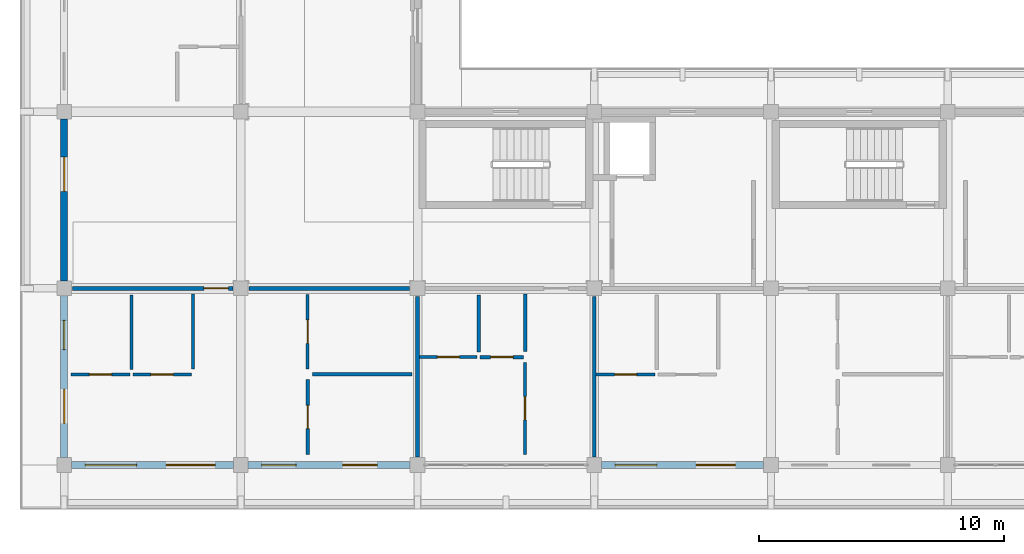
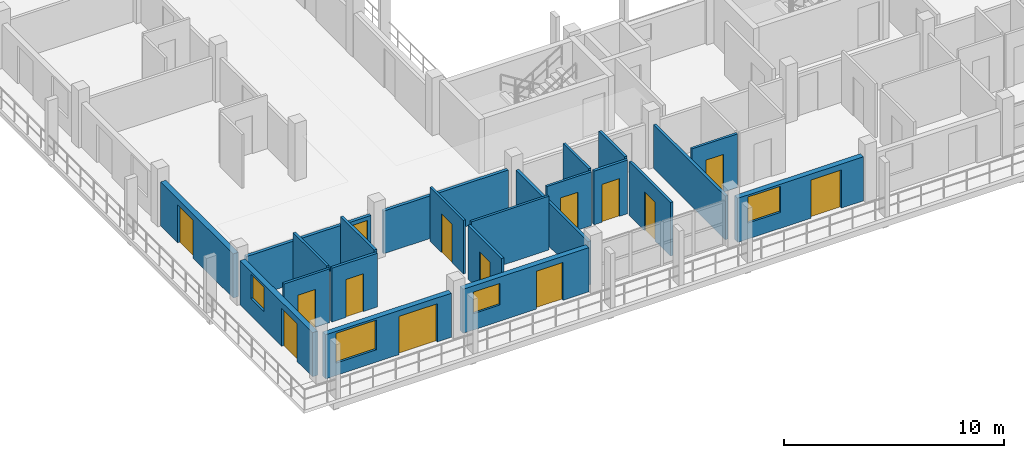
# One storey, part 38 of 76: 22 walls, 14 doors, 4 windows, 18 openings.
"""IFC4 building model written with IfcOpenShell, lengths in metres."""

from ifc_helpers import new_model, si_unit, direction, frame, frame_2d, origin, place, context, subcontext, project, spatial, rectangle, extrude, material, layer, layer_set, type_object, element, fill, save


model = new_model("IFC4")

# Units and contexts
model_context = context("Model", 3, precision=1e-05, world=origin(), true_north=direction((0.0, 1.0)))
body_context = subcontext(model_context, "Body", "Model", "MODEL_VIEW")
ifc_project = project(units=[si_unit("LENGTHUNIT", "METRE"), si_unit("AREAUNIT", "SQUARE_METRE"), si_unit("VOLUMEUNIT", "CUBIC_METRE"), si_unit("PLANEANGLEUNIT", "RADIAN"), si_unit("MASSUNIT", "GRAM", prefix="KILO")], contexts=[model_context])

# Site, building, storey
site_placement = place(None, origin())
site = spatial("IfcSite", under=ifc_project, at=site_placement, CompositionType="ELEMENT")
building_placement = place(site_placement, origin())
building = spatial("IfcBuilding", under=site, at=building_placement, Name="Suanplinth Sawtooth Commons", CompositionType="ELEMENT")
storey_placement = place(building_placement, frame((0.0, 0.0, 12.199951171875)))
storey = spatial("IfcBuildingStorey", under=building, at=storey_placement, Name="L03", CompositionType="ELEMENT", Elevation=12.199951171875)

# Wall, openings, door, window
ifc_material_1 = material(Name="Precast concrete C40/50", Category="concrete")
ifc_layer_1 = layer(ifc_material_1, 0.280029296875, Name="Insulated precast architectural facade wall 280mm")
ifc_layer_set_1 = layer_set([ifc_layer_1], Name="Precast concrete C40/50")
wall_type_1 = type_object("IfcWallType", Name="W-EX01", PredefinedType="ELEMENTEDWALL", material=ifc_layer_set_1)
wall_1_placement = place(storey_placement, frame((0.300048828125, 0.0, 0.0), z_axis=(0.0, 0.0, 1.0), x_axis=(1.0, 0.0, 0.0)))
wall_1 = element("IfcWall", 1, at=wall_1_placement, inside=storey, type_object=wall_type_1, Name="Facade Wall W-L03-D-S-0-0", PredefinedType="ELEMENTEDWALL", context=body_context, shape_type="SweptSolid", body=[
    extrude(rectangle(XDim=6.599853515625, YDim=0.280029296875, at=frame_2d((3.2998046875, 0.0))), origin(), (0.0, 0.0, 1.0), 2.445068359375),
])
opening_1_placement = place(wall_1_placement, frame((3.85009765625, 0.0, 0.0)))
opening_1 = element("IfcOpeningElement", 2, at=opening_1_placement, cuts=wall_1, Name="Opening ED0289", PredefinedType="OPENING", context=body_context, shape_type="SweptSolid", body=[
    extrude(rectangle(XDim=2.0, YDim=2.1201171875, at=frame_2d((1.0, 1.06005859375))), frame((0.0, 0.15478515625, 0.0), z_axis=(0.0, -1.0, 0.0), x_axis=(1.0, 0.0, 0.0)), (0.0, 0.0, 1.0), 0.309814453125),
])
opening_2_placement = place(wall_1_placement, frame((0.550048828125, 0.0, 0.68505859375)))
opening_2 = element("IfcOpeningElement", 3, at=opening_2_placement, cuts=wall_1, Name="Opening W0394", PredefinedType="OPENING", context=body_context, shape_type="SweptSolid", body=[
    extrude(rectangle(XDim=2.10009765625, YDim=1.64990234375, at=frame_2d((1.050048828125, 0.824951171875))), frame((0.0, 0.15478515625, 0.0), z_axis=(0.0, -1.0, 0.0), x_axis=(1.0, 0.0, 0.0)), (0.0, 0.0, 1.0), 0.309814453125),
])
ifc_material_2 = material(Name="Anodized aluminium and low-E glass", Category="aluminium")
door_type_1 = type_object("IfcDoorType", Name="SD-06", OperationType="DOUBLE_DOOR_SLIDING", PredefinedType="DOOR", material=ifc_material_2)
door_1_placement = place(opening_1_placement, frame((2.0, 0.0, 0.0), z_axis=(0.0, 0.0, 1.0), x_axis=(-1.0, 0.0, 0.0)))
door_1 = element("IfcDoor", 4, at=door_1_placement, inside=storey, type_object=door_type_1, Name="Balcony Sliding Door L03-D-0", OperationType="DOUBLE_DOOR_SLIDING", OverallHeight=2.1201171875, OverallWidth=2.0, PredefinedType="DOOR", context=body_context, shape_type="SweptSolid", body=[
    extrude(rectangle(XDim=2.0, YDim=2.1201171875, at=frame_2d((1.0, 1.06005859375))), frame((0.0, 0.02490234375, 0.0), z_axis=(0.0, -1.0, 0.0), x_axis=(1.0, 0.0, 0.0)), (0.0, 0.0, 1.0), 0.050048828125),
])
fill(opening_1, door_1)
ifc_material_3 = material(Name="Thermally broken aluminium and low-E double glazing", Category="aluminium")
window_type_1 = type_object("IfcWindowType", Name="WN-06", PartitioningType="DOUBLE_PANEL_VERTICAL", PredefinedType="WINDOW", material=ifc_material_3)
window_1_placement = place(opening_2_placement, origin())
window_1 = element("IfcWindow", 5, at=window_1_placement, inside=storey, type_object=window_type_1, Name="Apartment Window L03-D-0", OverallHeight=1.64990234375, OverallWidth=2.10009765625, PartitioningType="DOUBLE_PANEL_VERTICAL", PredefinedType="WINDOW", context=body_context, shape_type="SweptSolid", body=[
    extrude(rectangle(XDim=2.10009765625, YDim=1.64990234375, at=frame_2d((1.050048828125, 0.824951171875))), frame((0.0, 0.030029296875, 0.0), z_axis=(0.0, -1.0, 0.0), x_axis=(1.0, 0.0, 0.0)), (0.0, 0.0, 1.0), 0.06005859375),
])
fill(opening_2, window_1)

wall_2_placement = place(storey_placement, frame((0.0, 0.300048828125, 0.0), z_axis=(0.0, 0.0, 1.0), x_axis=(0.0, 1.0, 0.0)))
wall_2 = element("IfcWall", 6, at=wall_2_placement, inside=storey, type_object=wall_type_1, Name="Facade Wall W-L03-D-W-0-0", PredefinedType="ELEMENTEDWALL", context=body_context, shape_type="SweptSolid", body=[
    extrude(rectangle(XDim=6.599853515625, YDim=0.280029296875, at=frame_2d((3.2998046875, 0.0))), origin(), (0.0, 0.0, 1.0), 2.445068359375),
])
opening_3_placement = place(wall_2_placement, frame((1.39990234375, 0.0, 0.0)))
opening_3 = element("IfcOpeningElement", 7, at=opening_3_placement, cuts=wall_2, Name="Opening ED0290", PredefinedType="OPENING", context=body_context, shape_type="SweptSolid", body=[
    extrude(rectangle(XDim=1.39990234375, YDim=2.10009765625, at=frame_2d((0.699951171875, 1.050048828125))), frame((0.0, 0.15478515625, 0.0), z_axis=(0.0, -1.0, 0.0), x_axis=(1.0, 0.0, 0.0)), (0.0, 0.0, 1.0), 0.309814453125),
])
opening_4_placement = place(wall_2_placement, frame((4.39990234375, 0.0, 0.949951171875)))
opening_4 = element("IfcOpeningElement", 8, at=opening_4_placement, cuts=wall_2, Name="Opening W0395", PredefinedType="OPENING", context=body_context, shape_type="SweptSolid", body=[
    extrude(rectangle(XDim=1.199951171875, YDim=1.35009765625, at=frame_2d((0.60009765625, 0.675048828125))), frame((0.0, 0.15478515625, 0.0), z_axis=(0.0, -1.0, 0.0), x_axis=(1.0, 0.0, 0.0)), (0.0, 0.0, 1.0), 0.309814453125),
])
door_type_2 = type_object("IfcDoorType", Name="SD-07", OperationType="SLIDING_TO_RIGHT", PredefinedType="DOOR", material=ifc_material_2)
door_2_placement = place(opening_3_placement, frame((1.39990234375, 0.0, 0.0), z_axis=(0.0, 0.0, 1.0), x_axis=(-1.0, 0.0, 0.0)))
door_2 = element("IfcDoor", 9, at=door_2_placement, inside=storey, type_object=door_type_2, Name="End Balcony Sliding Door L03-D-W-0-0", OperationType="SLIDING_TO_RIGHT", OverallHeight=2.10009765625, OverallWidth=1.39990234375, PredefinedType="DOOR", context=body_context, shape_type="SweptSolid", body=[
    extrude(rectangle(XDim=1.39990234375, YDim=2.10009765625, at=frame_2d((0.699951171875, 1.050048828125))), frame((0.0, 0.02490234375, 0.0), z_axis=(0.0, -1.0, 0.0), x_axis=(1.0, 0.0, 0.0)), (0.0, 0.0, 1.0), 0.050048828125),
])
fill(opening_3, door_2)
window_type_2 = type_object("IfcWindowType", Name="WN-03", PartitioningType="SINGLE_PANEL", PredefinedType="WINDOW", material=ifc_material_3)
window_2_placement = place(opening_4_placement, origin())
window_2 = element("IfcWindow", 10, at=window_2_placement, inside=storey, type_object=window_type_2, Name="End Bedroom Window L03-D-0-0", OverallHeight=1.35009765625, OverallWidth=1.199951171875, PartitioningType="SINGLE_PANEL", PredefinedType="WINDOW", context=body_context, shape_type="SweptSolid", body=[
    extrude(rectangle(XDim=1.199951171875, YDim=1.35009765625, at=frame_2d((0.60009765625, 0.675048828125))), frame((0.0, 0.030029296875, 0.0), z_axis=(0.0, -1.0, 0.0), x_axis=(1.0, 0.0, 0.0)), (0.0, 0.0, 1.0), 0.06005859375),
])
fill(opening_4, window_2)

# Wall, opening, door
wall_3_placement = place(storey_placement, frame((0.0, 7.5, 0.0), z_axis=(0.0, 0.0, 1.0), x_axis=(0.0, 1.0, 0.0)))
wall_3 = element("IfcWall", 11, at=wall_3_placement, inside=storey, type_object=wall_type_1, Name="Facade Wall W-L03-D-W-0-1", PredefinedType="ELEMENTEDWALL", context=body_context, shape_type="SweptSolid", body=[
    extrude(rectangle(XDim=6.60009765625, YDim=0.280029296875, at=frame_2d((3.300048828125, 0.0))), origin(), (0.0, 0.0, 1.0), 2.445068359375),
])
opening_5_placement = place(wall_3_placement, frame((3.64990234375, 0.0, 0.0)))
opening_5 = element("IfcOpeningElement", 12, at=opening_5_placement, cuts=wall_3, Name="Opening ED0291", PredefinedType="OPENING", context=body_context, shape_type="SweptSolid", body=[
    extrude(rectangle(XDim=1.39990234375, YDim=2.10009765625, at=frame_2d((0.699951171875, 1.050048828125))), frame((0.0, 0.15478515625, 0.0), z_axis=(0.0, -1.0, 0.0), x_axis=(1.0, 0.0, 0.0)), (0.0, 0.0, 1.0), 0.309814453125),
])
door_3_placement = place(opening_5_placement, frame((1.39990234375, 0.0, 0.0), z_axis=(0.0, 0.0, 1.0), x_axis=(-1.0, 0.0, 0.0)))
door_3 = element("IfcDoor", 13, at=door_3_placement, inside=storey, type_object=door_type_2, Name="End Balcony Sliding Door L03-D-W-0-1", OperationType="SLIDING_TO_RIGHT", OverallHeight=2.10009765625, OverallWidth=1.39990234375, PredefinedType="DOOR", context=body_context, shape_type="SweptSolid", body=[
    extrude(rectangle(XDim=1.39990234375, YDim=2.10009765625, at=frame_2d((0.699951171875, 1.050048828125))), frame((0.0, 0.02490234375, 0.0), z_axis=(0.0, -1.0, 0.0), x_axis=(1.0, 0.0, 0.0)), (0.0, 0.0, 1.0), 0.050048828125),
])
fill(opening_5, door_3)

# Wall, openings, door, window
wall_4_placement = place(storey_placement, frame((7.5, 0.0, 0.0), z_axis=(0.0, 0.0, 1.0), x_axis=(1.0, 0.0, 0.0)))
wall_4 = element("IfcWall", 14, at=wall_4_placement, inside=storey, type_object=wall_type_1, Name="Facade Wall W-L03-D-S-1-0", PredefinedType="ELEMENTEDWALL", context=body_context, shape_type="SweptSolid", body=[
    extrude(rectangle(XDim=6.60009765625, YDim=0.280029296875, at=frame_2d((3.300048828125, 0.0))), origin(), (0.0, 0.0, 1.0), 2.445068359375),
])
opening_6_placement = place(wall_4_placement, frame((3.85009765625, 0.0, 0.0)))
opening_6 = element("IfcOpeningElement", 15, at=opening_6_placement, cuts=wall_4, Name="Opening ED0297", PredefinedType="OPENING", context=body_context, shape_type="SweptSolid", body=[
    extrude(rectangle(XDim=1.39990234375, YDim=2.10009765625, at=frame_2d((0.699951171875, 1.050048828125))), frame((0.0, 0.15478515625, 0.0), z_axis=(0.0, -1.0, 0.0), x_axis=(1.0, 0.0, 0.0)), (0.0, 0.0, 1.0), 0.309814453125),
])
opening_7_placement = place(wall_4_placement, frame((0.550048828125, 0.0, 0.89990234375)))
opening_7 = element("IfcOpeningElement", 16, at=opening_7_placement, cuts=wall_4, Name="Opening W0400", PredefinedType="OPENING", context=body_context, shape_type="SweptSolid", body=[
    extrude(rectangle(XDim=1.39990234375, YDim=1.199951171875, at=frame_2d((0.699951171875, 0.60009765625))), frame((0.0, 0.15478515625, 0.0), z_axis=(0.0, -1.0, 0.0), x_axis=(1.0, 0.0, 0.0)), (0.0, 0.0, 1.0), 0.309814453125),
])
door_4_placement = place(opening_6_placement, frame((1.39990234375, 0.0, 0.0), z_axis=(0.0, 0.0, 1.0), x_axis=(-1.0, 0.0, 0.0)))
door_4 = element("IfcDoor", 17, at=door_4_placement, inside=storey, type_object=door_type_2, Name="Balcony Sliding Door L03-D-1", OperationType="SLIDING_TO_RIGHT", OverallHeight=2.10009765625, OverallWidth=1.39990234375, PredefinedType="DOOR", context=body_context, shape_type="SweptSolid", body=[
    extrude(rectangle(XDim=1.39990234375, YDim=2.10009765625, at=frame_2d((0.699951171875, 1.050048828125))), frame((0.0, 0.02490234375, 0.0), z_axis=(0.0, -1.0, 0.0), x_axis=(1.0, 0.0, 0.0)), (0.0, 0.0, 1.0), 0.050048828125),
])
fill(opening_6, door_4)
window_type_3 = type_object("IfcWindowType", Name="WN-10", PartitioningType="DOUBLE_PANEL_HORIZONTAL", PredefinedType="WINDOW", material=ifc_material_3)
window_3_placement = place(opening_7_placement, origin())
window_3 = element("IfcWindow", 18, at=window_3_placement, inside=storey, type_object=window_type_3, Name="Apartment Window L03-D-1", OverallHeight=1.199951171875, OverallWidth=1.39990234375, PartitioningType="DOUBLE_PANEL_HORIZONTAL", PredefinedType="WINDOW", context=body_context, shape_type="SweptSolid", body=[
    extrude(rectangle(XDim=1.39990234375, YDim=1.199951171875, at=frame_2d((0.699951171875, 0.60009765625))), frame((0.0, 0.030029296875, 0.0), z_axis=(0.0, -1.0, 0.0), x_axis=(1.0, 0.0, 0.0)), (0.0, 0.0, 1.0), 0.06005859375),
])
fill(opening_7, window_3)

wall_5_placement = place(storey_placement, frame((21.89990234375, 0.0, 0.0), z_axis=(0.0, 0.0, 1.0), x_axis=(1.0, 0.0, 0.0)))
wall_5 = element("IfcWall", 19, at=wall_5_placement, inside=storey, type_object=wall_type_1, Name="Facade Wall W-L03-D-S-3-0", PredefinedType="ELEMENTEDWALL", context=body_context, shape_type="SweptSolid", body=[
    extrude(rectangle(XDim=6.60009765625, YDim=0.280029296875, at=frame_2d((3.300048828125, 0.0))), origin(), (0.0, 0.0, 1.0), 2.445068359375),
])
opening_8_placement = place(wall_5_placement, frame((3.85009765625, 0.0, 0.0)))
opening_8 = element("IfcOpeningElement", 20, at=opening_8_placement, cuts=wall_5, Name="Opening ED0302", PredefinedType="OPENING", context=body_context, shape_type="SweptSolid", body=[
    extrude(rectangle(XDim=1.60009765625, YDim=2.1201171875, at=frame_2d((0.800048828125, 1.06005859375))), frame((0.0, 0.15478515625, 0.0), z_axis=(0.0, -1.0, 0.0), x_axis=(1.0, 0.0, 0.0)), (0.0, 0.0, 1.0), 0.309814453125),
])
opening_9_placement = place(wall_5_placement, frame((0.550048828125, 0.0, 0.885009765625)))
opening_9 = element("IfcOpeningElement", 21, at=opening_9_placement, cuts=wall_5, Name="Opening W0403", PredefinedType="OPENING", context=body_context, shape_type="SweptSolid", body=[
    extrude(rectangle(XDim=1.699951171875, YDim=1.449951171875, at=frame_2d((0.85009765625, 0.72509765625))), frame((0.0, 0.15478515625, 0.0), z_axis=(0.0, -1.0, 0.0), x_axis=(1.0, 0.0, 0.0)), (0.0, 0.0, 1.0), 0.309814453125),
])
door_type_3 = type_object("IfcDoorType", Name="SD-02", OperationType="SLIDING_TO_RIGHT", PredefinedType="DOOR", material=ifc_material_2)
door_5_placement = place(opening_8_placement, frame((1.60009765625, 0.0, 0.0), z_axis=(0.0, 0.0, 1.0), x_axis=(-1.0, 0.0, 0.0)))
door_5 = element("IfcDoor", 22, at=door_5_placement, inside=storey, type_object=door_type_3, Name="Balcony Sliding Door L03-D-3", OperationType="SLIDING_TO_RIGHT", OverallHeight=2.1201171875, OverallWidth=1.60009765625, PredefinedType="DOOR", context=body_context, shape_type="SweptSolid", body=[
    extrude(rectangle(XDim=1.60009765625, YDim=2.1201171875, at=frame_2d((0.800048828125, 1.06005859375))), frame((0.0, 0.02490234375, 0.0), z_axis=(0.0, -1.0, 0.0), x_axis=(1.0, 0.0, 0.0)), (0.0, 0.0, 1.0), 0.050048828125),
])
fill(opening_8, door_5)
window_type_4 = type_object("IfcWindowType", Name="WN-15", PartitioningType="DOUBLE_PANEL_VERTICAL", PredefinedType="WINDOW", material=ifc_material_3)
window_4_placement = place(opening_9_placement, origin())
window_4 = element("IfcWindow", 23, at=window_4_placement, inside=storey, type_object=window_type_4, Name="Apartment Window L03-D-3", OverallHeight=1.449951171875, OverallWidth=1.699951171875, PartitioningType="DOUBLE_PANEL_VERTICAL", PredefinedType="WINDOW", context=body_context, shape_type="SweptSolid", body=[
    extrude(rectangle(XDim=1.699951171875, YDim=1.449951171875, at=frame_2d((0.85009765625, 0.72509765625))), frame((0.0, 0.030029296875, 0.0), z_axis=(0.0, -1.0, 0.0), x_axis=(1.0, 0.0, 0.0)), (0.0, 0.0, 1.0), 0.06005859375),
])
fill(opening_9, window_4)

# Wall, opening, door
ifc_layer_2 = layer(ifc_material_1, 0.159912109375, Name="Fire-rated corridor and lobby wall 160mm")
ifc_layer_set_2 = layer_set([ifc_layer_2], Name="Precast concrete C40/50")
wall_type_2 = type_object("IfcWallType", Name="W-FW01", PredefinedType="PARTITIONING", material=ifc_layer_set_2)
wall_6_placement = place(storey_placement, frame((0.330078125, 7.199951171875, 0.0), z_axis=(0.0, 0.0, 1.0), x_axis=(1.0, 0.0, 0.0)))
wall_6 = element("IfcWall", 24, at=wall_6_placement, inside=storey, type_object=wall_type_2, Name="W-D-L03-U01-COR-S1", PredefinedType="PARTITIONING", context=body_context, shape_type="SweptSolid", body=[
    extrude(rectangle(XDim=6.5400390625, YDim=0.159912109375, at=frame_2d((3.27001953125, 0.0))), origin(), (0.0, 0.0, 1.0), 2.364990234375),
])
opening_10_placement = place(wall_6_placement, frame((5.360107421875, 0.0, 0.0)))
opening_10 = element("IfcOpeningElement", 25, at=opening_10_placement, cuts=wall_6, Name="Opening FD1004", PredefinedType="OPENING", context=body_context, shape_type="SweptSolid", body=[
    extrude(rectangle(XDim=1.0, YDim=2.14990234375, at=frame_2d((0.5, 1.074951171875))), frame((0.0, 0.0947265625, 0.0), z_axis=(0.0, -1.0, 0.0), x_axis=(1.0, 0.0, 0.0)), (0.0, 0.0, 1.0), 0.189697265625),
])
ifc_material_4 = material(Name="Teak hardwood fire-rated door assembly", Category="wood")
door_type_4 = type_object("IfcDoorType", Name="FD-03", OperationType="NOTDEFINED", PredefinedType="DOOR", material=ifc_material_4)
door_6_placement = place(opening_10_placement, frame((1.0, 0.0, 0.0), z_axis=(0.0, 0.0, 1.0), x_axis=(-1.0, 0.0, 0.0)))
door_6 = element("IfcDoor", 26, at=door_6_placement, inside=storey, type_object=door_type_4, Name="Unit Entrance Door FD1004", OperationType="SINGLE_SWING_RIGHT", OverallHeight=2.14990234375, OverallWidth=1.0, PredefinedType="DOOR", context=body_context, shape_type="SweptSolid", body=[
    extrude(rectangle(XDim=1.0, YDim=2.14990234375, at=frame_2d((0.5, 1.074951171875))), frame((0.0, 0.02490234375, 0.0), z_axis=(0.0, -1.0, 0.0), x_axis=(1.0, 0.0, 0.0)), (0.0, 0.0, 1.0), 0.050048828125),
])
fill(opening_10, door_6)

# Walls
wall_7_placement = place(storey_placement, frame((7.530029296875, 7.199951171875, 0.0), z_axis=(0.0, 0.0, 1.0), x_axis=(1.0, 0.0, 0.0)))
element("IfcWall", 27, at=wall_7_placement, inside=storey, type_object=wall_type_2, Name="W-D-L03-U01-COR-S2", PredefinedType="PARTITIONING", context=body_context, shape_type="SweptSolid", body=[
    extrude(rectangle(XDim=6.5400390625, YDim=0.159912109375, at=frame_2d((3.27001953125, 0.0))), origin(), (0.0, 0.0, 1.0), 2.364990234375),
])
ifc_layer_3 = layer(ifc_material_1, 0.14990234375, Name="Acoustic precast party demising wall 150mm")
ifc_layer_set_3 = layer_set([ifc_layer_3], Name="Precast concrete C40/50")
wall_type_3 = type_object("IfcWallType", Name="W-FW02", PredefinedType="PARTITIONING", material=ifc_layer_set_3)
for number, where, z_axis, x_axis, name in (
    (28, (14.39990234375, 0.330078125, 0.0), (0.0, 0.0, 1.0), (0.0, 1.0, 0.0), "W-D-L03-U01-PTY"),
    (29, (21.60009765625, 0.330078125, 0.0), (0.0, 0.0, 1.0), (0.0, 1.0, 0.0), "W-D-L03-U02-PTY"),
):
    element("IfcWall", number, at=place(storey_placement, frame(where, z_axis=z_axis, x_axis=x_axis)), inside=storey, type_object=wall_type_3, Name=name, PredefinedType="PARTITIONING", context=body_context, shape_type="SweptSolid", body=[
        extrude(rectangle(XDim=6.5400390625, YDim=0.14990234375, at=frame_2d((3.27001953125, 0.0))), origin(), (0.0, 0.0, 1.0), 2.4150390625),
    ])

# Wall, opening, door
ifc_material_5 = material(Name="Gypsum plasterboard on steel stud", Category="steel")
ifc_layer_4 = layer(ifc_material_5, 0.139892578125, Name="Fire-rated kitchen partition 140mm")
ifc_layer_set_4 = layer_set([ifc_layer_4], Name="Gypsum plasterboard on steel stud")
wall_type_4 = type_object("IfcWallType", Name="W-PT01", PredefinedType="PARTITIONING", material=ifc_layer_set_4)
wall_8_placement = place(storey_placement, frame((2.800048828125, 3.68994140625, 0.0), z_axis=(0.0, 0.0, 1.0), x_axis=(1.0, 0.0, 0.0)))
wall_8 = element("IfcWall", 30, at=wall_8_placement, inside=storey, type_object=wall_type_4, Name="W-D-L03-U01-KIT1", PredefinedType="PARTITIONING", context=body_context, shape_type="SweptSolid", body=[
    extrude(rectangle(XDim=2.3798828125, YDim=0.139892578125, at=frame_2d((1.18994140625, 0.0))), origin(), (0.0, 0.0, 1.0), 2.97998046875),
])
opening_11_placement = place(wall_8_placement, frame((0.72998046875, 0.0, 0.0)))
opening_11 = element("IfcOpeningElement", 31, at=opening_11_placement, cuts=wall_8, Name="Opening D1006", PredefinedType="OPENING", context=body_context, shape_type="SweptSolid", body=[
    extrude(rectangle(XDim=0.919921875, YDim=2.10009765625, at=frame_2d((0.4599609375, 1.050048828125))), frame((0.0, 0.0849609375, 0.0), z_axis=(0.0, -1.0, 0.0), x_axis=(1.0, 0.0, 0.0)), (0.0, 0.0, 1.0), 0.169677734375),
])
ifc_material_6 = material(Name="Teak hardwood", Category="wood")
door_type_5 = type_object("IfcDoorType", Name="D-02", OperationType="NOTDEFINED", PredefinedType="DOOR", material=ifc_material_6)
door_7_placement = place(opening_11_placement, origin())
door_7 = element("IfcDoor", 32, at=door_7_placement, inside=storey, type_object=door_type_5, Name="Kitchen Door D1006", OperationType="SINGLE_SWING_RIGHT", OverallHeight=2.10009765625, OverallWidth=0.919921875, PredefinedType="DOOR", context=body_context, shape_type="SweptSolid", body=[
    extrude(rectangle(XDim=0.919921875, YDim=2.10009765625, at=frame_2d((0.4599609375, 1.050048828125))), frame((0.0, 0.02490234375, 0.0), z_axis=(0.0, -1.0, 0.0), x_axis=(1.0, 0.0, 0.0)), (0.0, 0.0, 1.0), 0.050048828125),
])
fill(opening_11, door_7)

# Wall
wall_9_placement = place(storey_placement, frame((5.25, 3.909912109375, 0.0), z_axis=(0.0, 0.0, 1.0), x_axis=(0.0, 1.0, 0.0)))
element("IfcWall", 33, at=wall_9_placement, inside=storey, type_object=wall_type_4, Name="W-D-L03-U01-KIT2", PredefinedType="PARTITIONING", context=body_context, shape_type="SweptSolid", body=[
    extrude(rectangle(XDim=3.06005859375, YDim=0.139892578125, at=frame_2d((1.530029296875, 0.0))), origin(), (0.0, 0.0, 1.0), 2.97998046875),
])

# Wall, opening, door
wall_10_placement = place(storey_placement, frame((16.949951171875, 4.39990234375, 0.0), z_axis=(0.0, 0.0, 1.0), x_axis=(1.0, 0.0, 0.0)))
wall_10 = element("IfcWall", 34, at=wall_10_placement, inside=storey, type_object=wall_type_4, Name="W-D-L03-U02-KIT1", PredefinedType="PARTITIONING", context=body_context, shape_type="SweptSolid", body=[
    extrude(rectangle(XDim=1.77001953125, YDim=0.139892578125, at=frame_2d((0.885009765625, 0.0))), origin(), (0.0, 0.0, 1.0), 2.97998046875),
])
opening_12_placement = place(wall_10_placement, frame((0.425048828125, 0.0, 0.0)))
opening_12 = element("IfcOpeningElement", 35, at=opening_12_placement, cuts=wall_10, Name="Opening D1011", PredefinedType="OPENING", context=body_context, shape_type="SweptSolid", body=[
    extrude(rectangle(XDim=0.919921875, YDim=2.10009765625, at=frame_2d((0.4599609375, 1.050048828125))), frame((0.0, 0.0849609375, 0.0), z_axis=(0.0, -1.0, 0.0), x_axis=(1.0, 0.0, 0.0)), (0.0, 0.0, 1.0), 0.169677734375),
])
door_8_placement = place(opening_12_placement, origin())
door_8 = element("IfcDoor", 36, at=door_8_placement, inside=storey, type_object=door_type_5, Name="Kitchen Door D1011", OperationType="SINGLE_SWING_LEFT", OverallHeight=2.10009765625, OverallWidth=0.919921875, PredefinedType="DOOR", context=body_context, shape_type="SweptSolid", body=[
    extrude(rectangle(XDim=0.919921875, YDim=2.10009765625, at=frame_2d((0.4599609375, 1.050048828125))), frame((0.0, 0.02490234375, 0.0), z_axis=(0.0, -1.0, 0.0), x_axis=(1.0, 0.0, 0.0)), (0.0, 0.0, 1.0), 0.050048828125),
])
fill(opening_12, door_8)

# Wall
wall_11_placement = place(storey_placement, frame((18.7900390625, 4.6201171875, 0.0), z_axis=(0.0, 0.0, 1.0), x_axis=(0.0, 1.0, 0.0)))
element("IfcWall", 37, at=wall_11_placement, inside=storey, type_object=wall_type_4, Name="W-D-L03-U02-KIT2", PredefinedType="PARTITIONING", context=body_context, shape_type="SweptSolid", body=[
    extrude(rectangle(XDim=2.349853515625, YDim=0.139892578125, at=frame_2d((1.1748046875, 0.0))), origin(), (0.0, 0.0, 1.0), 2.97998046875),
])

# Wall, opening, door
ifc_layer_5 = layer(ifc_material_5, 0.1298828125, Name="Moisture-resistant bathroom partition 130mm")
ifc_layer_set_5 = layer_set([ifc_layer_5], Name="Gypsum plasterboard on steel stud")
wall_type_5 = type_object("IfcWallType", Name="W-PT02", PredefinedType="PARTITIONING", material=ifc_layer_set_5)
wall_12_placement = place(storey_placement, frame((0.280029296875, 3.695068359375, 0.0), z_axis=(0.0, 0.0, 1.0), x_axis=(1.0, 0.0, 0.0)))
wall_12 = element("IfcWall", 38, at=wall_12_placement, inside=storey, type_object=wall_type_5, Name="W-D-L03-U01-BTH1", PredefinedType="PARTITIONING", context=body_context, shape_type="SweptSolid", body=[
    extrude(rectangle(XDim=2.39990234375, YDim=0.1298828125, at=frame_2d((1.199951171875, 0.0))), origin(), (0.0, 0.0, 1.0), 2.97998046875),
])
opening_13_placement = place(wall_12_placement, frame((0.75, 0.0, 0.0)))
opening_13 = element("IfcOpeningElement", 39, at=opening_13_placement, cuts=wall_12, Name="Opening D1005", PredefinedType="OPENING", context=body_context, shape_type="SweptSolid", body=[
    extrude(rectangle(XDim=0.89990234375, YDim=2.10009765625, at=frame_2d((0.449951171875, 1.050048828125))), frame((0.0, 0.079833984375, 0.0), z_axis=(0.0, -1.0, 0.0), x_axis=(1.0, 0.0, 0.0)), (0.0, 0.0, 1.0), 0.15966796875),
])
door_type_6 = type_object("IfcDoorType", Name="D-01", OperationType="NOTDEFINED", PredefinedType="DOOR", material=ifc_material_6)
door_9_placement = place(opening_13_placement, origin())
door_9 = element("IfcDoor", 40, at=door_9_placement, inside=storey, type_object=door_type_6, Name="Bathroom Door D1005", OperationType="SINGLE_SWING_LEFT", OverallHeight=2.10009765625, OverallWidth=0.89990234375, PredefinedType="DOOR", context=body_context, shape_type="SweptSolid", body=[
    extrude(rectangle(XDim=0.89990234375, YDim=2.10009765625, at=frame_2d((0.449951171875, 1.050048828125))), frame((0.0, 0.02490234375, 0.0), z_axis=(0.0, -1.0, 0.0), x_axis=(1.0, 0.0, 0.0)), (0.0, 0.0, 1.0), 0.050048828125),
])
fill(opening_13, door_9)

# Wall
wall_13_placement = place(storey_placement, frame((2.7451171875, 3.89990234375, 0.0), z_axis=(0.0, 0.0, 1.0), x_axis=(0.0, 1.0, 0.0)))
element("IfcWall", 41, at=wall_13_placement, inside=storey, type_object=wall_type_5, Name="W-D-L03-U01-BTH2", PredefinedType="PARTITIONING", context=body_context, shape_type="SweptSolid", body=[
    extrude(rectangle(XDim=3.0400390625, YDim=0.1298828125, at=frame_2d((1.52001953125, 0.0))), origin(), (0.0, 0.0, 1.0), 2.97998046875),
])

# Wall, opening, door
wall_14_placement = place(storey_placement, frame((14.47998046875, 4.405029296875, 0.0), z_axis=(0.0, 0.0, 1.0), x_axis=(1.0, 0.0, 0.0)))
wall_14 = element("IfcWall", 42, at=wall_14_placement, inside=storey, type_object=wall_type_5, Name="W-D-L03-U02-BTH1", PredefinedType="PARTITIONING", context=body_context, shape_type="SweptSolid", body=[
    extrude(rectangle(XDim=2.35009765625, YDim=0.1298828125, at=frame_2d((1.175048828125, 0.0))), origin(), (0.0, 0.0, 1.0), 2.97998046875),
])
opening_14_placement = place(wall_14_placement, frame((0.72509765625, 0.0, 0.0)))
opening_14 = element("IfcOpeningElement", 43, at=opening_14_placement, cuts=wall_14, Name="Opening D1010", PredefinedType="OPENING", context=body_context, shape_type="SweptSolid", body=[
    extrude(rectangle(XDim=0.89990234375, YDim=2.10009765625, at=frame_2d((0.449951171875, 1.050048828125))), frame((0.0, 0.079833984375, 0.0), z_axis=(0.0, -1.0, 0.0), x_axis=(1.0, 0.0, 0.0)), (0.0, 0.0, 1.0), 0.15966796875),
])
door_10_placement = place(opening_14_placement, origin())
door_10 = element("IfcDoor", 44, at=door_10_placement, inside=storey, type_object=door_type_6, Name="Bathroom Door D1010", OperationType="SINGLE_SWING_RIGHT", OverallHeight=2.10009765625, OverallWidth=0.89990234375, PredefinedType="DOOR", context=body_context, shape_type="SweptSolid", body=[
    extrude(rectangle(XDim=0.89990234375, YDim=2.10009765625, at=frame_2d((0.449951171875, 1.050048828125))), frame((0.0, 0.02490234375, 0.0), z_axis=(0.0, -1.0, 0.0), x_axis=(1.0, 0.0, 0.0)), (0.0, 0.0, 1.0), 0.050048828125),
])
fill(opening_14, door_10)

# Wall
wall_15_placement = place(storey_placement, frame((16.89501953125, 4.610107421875, 0.0), z_axis=(0.0, 0.0, 1.0), x_axis=(0.0, 1.0, 0.0)))
element("IfcWall", 45, at=wall_15_placement, inside=storey, type_object=wall_type_5, Name="W-D-L03-U02-BTH2", PredefinedType="PARTITIONING", context=body_context, shape_type="SweptSolid", body=[
    extrude(rectangle(XDim=2.329833984375, YDim=0.1298828125, at=frame_2d((1.1650390625, 0.0))), origin(), (0.0, 0.0, 1.0), 2.97998046875),
])

# Wall, opening, door
wall_16_placement = place(storey_placement, frame((21.679931640625, 3.695068359375, 0.0), z_axis=(0.0, 0.0, 1.0), x_axis=(1.0, 0.0, 0.0)))
wall_16 = element("IfcWall", 46, at=wall_16_placement, inside=storey, type_object=wall_type_5, Name="W-D-L03-U03-BTH1", PredefinedType="PARTITIONING", context=body_context, shape_type="SweptSolid", body=[
    extrude(rectangle(XDim=2.400146484375, YDim=0.1298828125, at=frame_2d((1.2001953125, 0.0))), origin(), (0.0, 0.0, 1.0), 2.97998046875),
])
opening_15_placement = place(wall_16_placement, frame((0.75, 0.0, 0.0)))
opening_15 = element("IfcOpeningElement", 47, at=opening_15_placement, cuts=wall_16, Name="Opening D1014", PredefinedType="OPENING", context=body_context, shape_type="SweptSolid", body=[
    extrude(rectangle(XDim=0.89990234375, YDim=2.10009765625, at=frame_2d((0.449951171875, 1.050048828125))), frame((0.0, 0.079833984375, 0.0), z_axis=(0.0, -1.0, 0.0), x_axis=(1.0, 0.0, 0.0)), (0.0, 0.0, 1.0), 0.15966796875),
])
door_11_placement = place(opening_15_placement, origin())
door_11 = element("IfcDoor", 48, at=door_11_placement, inside=storey, type_object=door_type_6, Name="Bathroom Door D1014", OperationType="SINGLE_SWING_RIGHT", OverallHeight=2.10009765625, OverallWidth=0.89990234375, PredefinedType="DOOR", context=body_context, shape_type="SweptSolid", body=[
    extrude(rectangle(XDim=0.89990234375, YDim=2.10009765625, at=frame_2d((0.449951171875, 1.050048828125))), frame((0.0, 0.02490234375, 0.0), z_axis=(0.0, -1.0, 0.0), x_axis=(1.0, 0.0, 0.0)), (0.0, 0.0, 1.0), 0.050048828125),
])
fill(opening_15, door_11)

ifc_layer_6 = layer(ifc_material_5, 0.1201171875, Name="Acoustic bedroom partition 120mm")
ifc_layer_set_6 = layer_set([ifc_layer_6], Name="Gypsum plasterboard on steel stud")
wall_type_6 = type_object("IfcWallType", Name="W-PT03", PredefinedType="PARTITIONING", material=ifc_layer_set_6)
wall_17_placement = place(storey_placement, frame((9.919921875, 3.919921875, 0.0), z_axis=(0.0, 0.0, 1.0), x_axis=(0.0, 1.0, 0.0)))
wall_17 = element("IfcWall", 49, at=wall_17_placement, inside=storey, type_object=wall_type_6, Name="W-D-L03-U01-BED2", PredefinedType="PARTITIONING", context=body_context, shape_type="SweptSolid", body=[
    extrude(rectangle(XDim=3.0400390625, YDim=0.1201171875, at=frame_2d((1.52001953125, 0.0))), origin(), (0.0, 0.0, 1.0), 2.97998046875),
])
opening_16_placement = place(wall_17_placement, frame((1.0400390625, 0.0, 0.0)))
opening_16 = element("IfcOpeningElement", 50, at=opening_16_placement, cuts=wall_17, Name="Opening D1008", PredefinedType="OPENING", context=body_context, shape_type="SweptSolid", body=[
    extrude(rectangle(XDim=0.9599609375, YDim=2.14990234375, at=frame_2d((0.47998046875, 1.074951171875))), frame((0.0, 0.074951171875, 0.0), z_axis=(0.0, -1.0, 0.0), x_axis=(1.0, 0.0, 0.0)), (0.0, 0.0, 1.0), 0.14990234375),
])
door_type_7 = type_object("IfcDoorType", Name="D-13", OperationType="NOTDEFINED", PredefinedType="DOOR", material=ifc_material_6)
door_12_placement = place(opening_16_placement, frame((0.9599609375, 0.0, 0.0), z_axis=(0.0, 0.0, 1.0), x_axis=(-1.0, 0.0, 0.0)))
door_12 = element("IfcDoor", 51, at=door_12_placement, inside=storey, type_object=door_type_7, Name="Second Bedroom Door D1008", OperationType="SINGLE_SWING_RIGHT", OverallHeight=2.14990234375, OverallWidth=0.9599609375, PredefinedType="DOOR", context=body_context, shape_type="SweptSolid", body=[
    extrude(rectangle(XDim=0.9599609375, YDim=2.14990234375, at=frame_2d((0.47998046875, 1.074951171875))), frame((0.0, 0.02490234375, 0.0), z_axis=(0.0, -1.0, 0.0), x_axis=(1.0, 0.0, 0.0)), (0.0, 0.0, 1.0), 0.050048828125),
])
fill(opening_16, door_12)

# Wall
ifc_layer_7 = layer(ifc_material_5, 0.125, Name="Acoustic study partition 125mm")
ifc_layer_set_7 = layer_set([ifc_layer_7], Name="Gypsum plasterboard on steel stud")
wall_type_7 = type_object("IfcWallType", Name="W-PT06", PredefinedType="PARTITIONING", material=ifc_layer_set_7)
wall_18_placement = place(storey_placement, frame((10.1201171875, 3.699951171875, 0.0), z_axis=(0.0, 0.0, 1.0), x_axis=(1.0, 0.0, 0.0)))
element("IfcWall", 52, at=wall_18_placement, inside=storey, type_object=wall_type_7, Name="W-D-L03-U01-BEDDIV", PredefinedType="PARTITIONING", context=body_context, shape_type="SweptSolid", body=[
    extrude(rectangle(XDim=4.059814453125, YDim=0.125, at=frame_2d((2.02978515625, 0.0))), origin(), (0.0, 0.0, 1.0), 2.97998046875),
])

# Wall, opening, door
ifc_layer_8 = layer(ifc_material_5, 0.135009765625, Name="Insulated bedroom demising partition 135mm")
ifc_layer_set_8 = layer_set([ifc_layer_8], Name="Gypsum plasterboard on steel stud")
wall_type_8 = type_object("IfcWallType", Name="W-PT07", PredefinedType="PARTITIONING", material=ifc_layer_set_8)
wall_19_placement = place(storey_placement, frame((9.919921875, 0.43994140625, 0.0), z_axis=(0.0, 0.0, 1.0), x_axis=(0.0, 1.0, 0.0)))
wall_19 = element("IfcWall", 53, at=wall_19_placement, inside=storey, type_object=wall_type_8, Name="W-D-L03-U01-BED1", PredefinedType="PARTITIONING", context=body_context, shape_type="SweptSolid", body=[
    extrude(rectangle(XDim=3.0400390625, YDim=0.135009765625, at=frame_2d((1.52001953125, 0.0))), origin(), (0.0, 0.0, 1.0), 2.97998046875),
])
opening_17_placement = place(wall_19_placement, frame((1.044921875, 0.0, 0.0)))
opening_17 = element("IfcOpeningElement", 54, at=opening_17_placement, cuts=wall_19, Name="Opening D1007", PredefinedType="OPENING", context=body_context, shape_type="SweptSolid", body=[
    extrude(rectangle(XDim=0.949951171875, YDim=2.14990234375, at=frame_2d((0.47509765625, 1.074951171875))), frame((0.0, 0.08251953125, 0.0), z_axis=(0.0, -1.0, 0.0), x_axis=(1.0, 0.0, 0.0)), (0.0, 0.0, 1.0), 0.164794921875),
])
door_type_8 = type_object("IfcDoorType", Name="D-03", OperationType="NOTDEFINED", PredefinedType="DOOR", material=ifc_material_6)
door_13_placement = place(opening_17_placement, frame((0.949951171875, 0.0, 0.0), z_axis=(0.0, 0.0, 1.0), x_axis=(-1.0, 0.0, 0.0)))
door_13 = element("IfcDoor", 55, at=door_13_placement, inside=storey, type_object=door_type_8, Name="Bedroom Door D1007", OperationType="SINGLE_SWING_LEFT", OverallHeight=2.14990234375, OverallWidth=0.949951171875, PredefinedType="DOOR", context=body_context, shape_type="SweptSolid", body=[
    extrude(rectangle(XDim=0.949951171875, YDim=2.14990234375, at=frame_2d((0.47509765625, 1.074951171875))), frame((0.0, 0.02490234375, 0.0), z_axis=(0.0, -1.0, 0.0), x_axis=(1.0, 0.0, 0.0)), (0.0, 0.0, 1.0), 0.050048828125),
])
fill(opening_17, door_13)

wall_20_placement = place(storey_placement, frame((18.780029296875, 0.43994140625, 0.0), z_axis=(0.0, 0.0, 1.0), x_axis=(0.0, 1.0, 0.0)))
wall_20 = element("IfcWall", 56, at=wall_20_placement, inside=storey, type_object=wall_type_8, Name="W-D-L03-U02-BED1", PredefinedType="PARTITIONING", context=body_context, shape_type="SweptSolid", body=[
    extrude(rectangle(XDim=3.75, YDim=0.135009765625, at=frame_2d((1.875, 0.0))), origin(), (0.0, 0.0, 1.0), 2.97998046875),
])
opening_18_placement = place(wall_20_placement, frame((1.39990234375, 0.0, 0.0)))
opening_18 = element("IfcOpeningElement", 57, at=opening_18_placement, cuts=wall_20, Name="Opening D1012", PredefinedType="OPENING", context=body_context, shape_type="SweptSolid", body=[
    extrude(rectangle(XDim=0.949951171875, YDim=2.14990234375, at=frame_2d((0.47509765625, 1.074951171875))), frame((0.0, 0.08251953125, 0.0), z_axis=(0.0, -1.0, 0.0), x_axis=(1.0, 0.0, 0.0)), (0.0, 0.0, 1.0), 0.164794921875),
])
door_14_placement = place(opening_18_placement, origin())
door_14 = element("IfcDoor", 58, at=door_14_placement, inside=storey, type_object=door_type_8, Name="Bedroom Door D1012", OperationType="SINGLE_SWING_RIGHT", OverallHeight=2.14990234375, OverallWidth=0.949951171875, PredefinedType="DOOR", context=body_context, shape_type="SweptSolid", body=[
    extrude(rectangle(XDim=0.949951171875, YDim=2.14990234375, at=frame_2d((0.47509765625, 1.074951171875))), frame((0.0, 0.02490234375, 0.0), z_axis=(0.0, -1.0, 0.0), x_axis=(1.0, 0.0, 0.0)), (0.0, 0.0, 1.0), 0.050048828125),
])
fill(opening_18, door_14)

save(model, "model.ifc")
